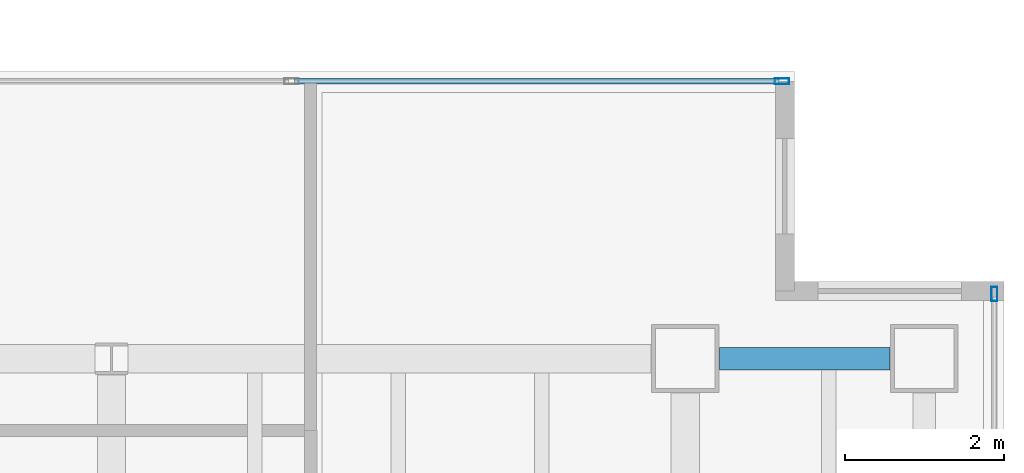
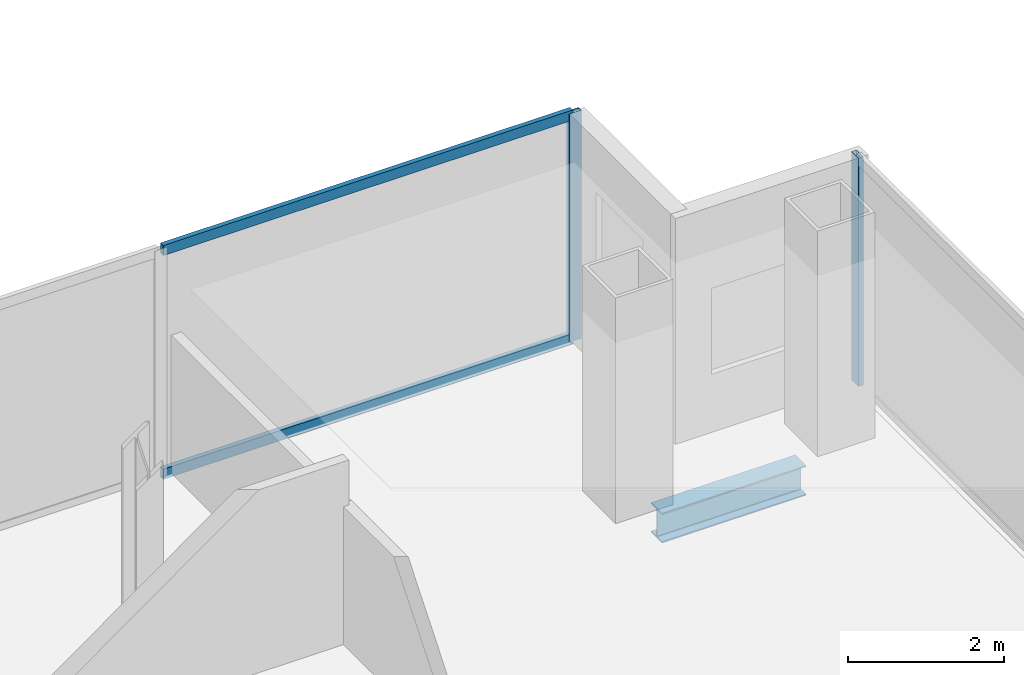
# One storey, part 15 of 24: 4 members, 1 beam, 2 elements without a shape of their own.
"""IFC4 building model written with IfcOpenShell, lengths in metres."""

from ifc_helpers import new_model, si_unit, direction, frame, origin, origin_2d, place, context, subcontext, project, spatial, hollow_rectangle, i_section, extrude, material, material_profile, profile_set, type_object, element, aggregate, save


model = new_model("IFC4")

# Units and contexts
model_context = context("Model", 3, precision=1e-05, world=origin(), true_north=direction((0.0, 1.0)))
body_context = subcontext(model_context, "Body", "Model", "MODEL_VIEW")
ifc_project = project(units=[si_unit("LENGTHUNIT", "METRE"), si_unit("AREAUNIT", "SQUARE_METRE"), si_unit("VOLUMEUNIT", "CUBIC_METRE"), si_unit("PLANEANGLEUNIT", "RADIAN"), si_unit("MASSUNIT", "GRAM", prefix="KILO")], contexts=[model_context])

# Site, building, storey
site_placement = place(None, origin())
site = spatial("IfcSite", under=ifc_project, at=site_placement, CompositionType="ELEMENT")
building_placement = place(site_placement, origin())
building = spatial("IfcBuilding", under=site, at=building_placement, Name="Cobrela Telecom Tower", CompositionType="ELEMENT")
storey_placement = place(building_placement, frame((0.0, 0.0, 152.25)))
storey = spatial("IfcBuildingStorey", under=building, at=storey_placement, Name="L38", CompositionType="ELEMENT", Elevation=152.25)

# Beam
ifc_material_1 = material(Name="Steel ASTM A992 Grade 50", Category="steel")
ifc_material_profile_1 = material_profile(ifc_material_1, i_section(OverallWidth=0.281982421875, OverallDepth=0.467041015625, WebThickness=0.01220703125, FlangeThickness=0.01953125, FilletRadius=0.012939453125, at=origin_2d()), Name="W18X86")
ifc_profile_set_1 = profile_set([ifc_material_profile_1], Name="Steel ASTM A992 Grade 50")
beam_type = type_object("IfcBeamType", Name="BM-SPAND-04", PredefinedType="SPANDREL", material=ifc_profile_set_1)
beam_placement = place(storey_placement, frame((43.6298828125, 21.60009765625, -0.50341796875), z_axis=(1.0, 0.0, 0.0), x_axis=(0.0, 1.0, 0.0)))
element("IfcBeam", 1, at=beam_placement, inside=storey, type_object=beam_type, Name="L38 Perimeter Spandrel X22", PredefinedType="SPANDREL", context=body_context, shape_type="SweptSolid", body=[
    extrude(i_section(OverallWidth=0.281982421875, OverallDepth=0.467041015625, WebThickness=0.01220703125, FlangeThickness=0.01953125, FilletRadius=0.012939453125, at=origin_2d()), origin(), (0.0, 0.0, 1.0), 2.14013671875),
])

# Curtain wall, member
ifc_material_2 = material(Name="Anodized Bronze Aluminium 6063-T6", Category="aluminium")
curtain_wall_type = type_object("IfcCurtainWallType", Name="CW-SYS-TEL", PredefinedType="USERDEFINED", material=ifc_material_2)
curtain_wall_1_placement = place(storey_placement, origin())
curtain_wall_1 = element("IfcCurtainWall", 2, at=curtain_wall_1_placement, inside=storey, type_object=curtain_wall_type, Name="L38 Unitised Bronze Curtain Wall 11", ObjectType="UNITISED CURTAIN WALL", PredefinedType="USERDEFINED")
ifc_material_profile_2 = material_profile(ifc_material_2, hollow_rectangle(XDim=0.074951171875, YDim=0.179931640625, WallThickness=0.00390625, at=origin_2d()), Name="ALU 75x180x4")
ifc_profile_set_2 = profile_set([ifc_material_profile_2], Name="Anodized Bronze Aluminium 6063-T6")
member_type_1 = type_object("IfcMemberType", Name="CW-SYS-TEL-MUL", PredefinedType="MULLION", material=ifc_profile_set_2)
member_1_placement = place(storey_placement, frame((44.41259765625, 25.080078125, 0.0), z_axis=(0.0, 0.0, 1.0), x_axis=(0.0, 1.0, 0.0)))
member_1 = element("IfcMember", 3, at=member_1_placement, type_object=member_type_1, Name="CW-TEL mullion 4", PredefinedType="MULLION", context=body_context, shape_type="SweptSolid", body=[
    extrude(hollow_rectangle(XDim=0.074951171875, YDim=0.179931640625, WallThickness=0.00390625, at=origin_2d()), origin(), (0.0, 0.0, 1.0), 3.580078125),
])

curtain_wall_2_placement = place(storey_placement, origin())
curtain_wall_2 = element("IfcCurtainWall", 4, at=curtain_wall_2_placement, inside=storey, type_object=curtain_wall_type, Name="L38 Unitised Bronze Curtain Wall 14", ObjectType="UNITISED CURTAIN WALL", PredefinedType="USERDEFINED")
member_2_placement = place(storey_placement, frame((47.080078125, 22.41259765625, 0.0), z_axis=(0.0, 0.0, 1.0), x_axis=(1.0, 0.0, 0.0)))
member_2 = element("IfcMember", 5, at=member_2_placement, type_object=member_type_1, Name="CW-TEL mullion 1", PredefinedType="MULLION", context=body_context, shape_type="SweptSolid", body=[
    extrude(hollow_rectangle(XDim=0.074951171875, YDim=0.179931640625, WallThickness=0.00390625, at=origin_2d()), origin(), (0.0, 0.0, 1.0), 3.580078125),
])
aggregate(curtain_wall_2, [member_2])

# Member
ifc_material_profile_3 = material_profile(ifc_material_2, hollow_rectangle(XDim=0.070068359375, YDim=0.159912109375, WallThickness=0.00390625, at=origin_2d()), Name="ALU 70x160x4")
ifc_profile_set_3 = profile_set([ifc_material_profile_3], Name="Anodized Bronze Aluminium 6063-T6")
member_type_2 = type_object("IfcMemberType", Name="CW-SYS-TEL-TRN", PredefinedType="USERDEFINED", material=ifc_profile_set_3)
member_3_placement = place(storey_placement, frame((38.297607421875, 25.080078125, 0.034912109375), z_axis=(1.0, 0.0, 0.0), x_axis=(0.0, 1.0, 0.0)))
member_3 = element("IfcMember", 6, at=member_3_placement, type_object=member_type_2, Name="CW-TEL transom 3.1", ObjectType="TRANSOM", PredefinedType="USERDEFINED", context=body_context, shape_type="SweptSolid", body=[
    extrude(hollow_rectangle(XDim=0.070068359375, YDim=0.159912109375, WallThickness=0.00390625, at=origin_2d()), origin(), (0.0, 0.0, 1.0), 6.077392578125),
])

member_4_placement = place(storey_placement, frame((38.297607421875, 25.080078125, 3.544921875), z_axis=(1.0, 0.0, 0.0), x_axis=(0.0, 1.0, 0.0)))
member_4 = element("IfcMember", 7, at=member_4_placement, type_object=member_type_2, Name="CW-TEL transom 3.2", ObjectType="TRANSOM", PredefinedType="USERDEFINED", context=body_context, shape_type="SweptSolid", body=[
    extrude(hollow_rectangle(XDim=0.070068359375, YDim=0.159912109375, WallThickness=0.00390625, at=origin_2d()), origin(), (0.0, 0.0, 1.0), 6.077392578125),
])

aggregate(curtain_wall_1, [member_1, member_3, member_4])

save(model, "model.ifc")
